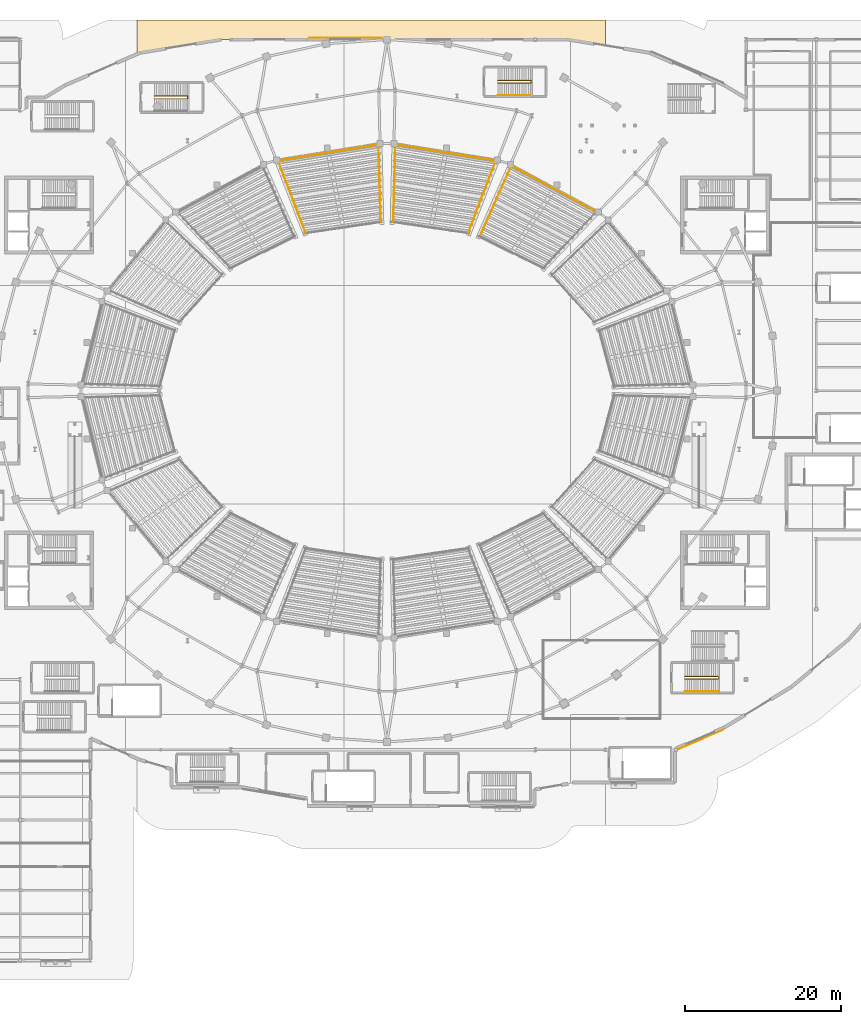
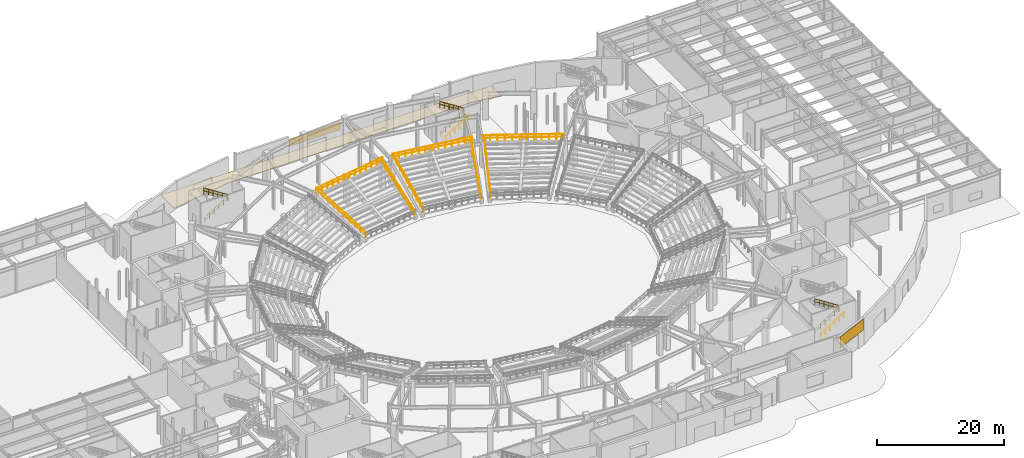
# One storey, part 77 of 79: 13 railings, 3 coverings.
"""IFC4 building model written with IfcOpenShell, lengths in metres."""

from ifc_helpers import new_model, si_unit, direction, frame, origin, origin_2d, place, context, subcontext, project, spatial, polyline, rectangle, circle, outline, extrude, material, layer, layer_set, type_object, element, save


model = new_model("IFC4")

# Units and contexts
model_context = context("Model", 3, precision=1e-05, world=origin(), true_north=direction((0.0, 1.0)))
body_context = subcontext(model_context, "Body", "Model", "MODEL_VIEW")
ifc_project = project(units=[si_unit("LENGTHUNIT", "METRE"), si_unit("AREAUNIT", "SQUARE_METRE"), si_unit("VOLUMEUNIT", "CUBIC_METRE"), si_unit("PLANEANGLEUNIT", "RADIAN"), si_unit("MASSUNIT", "GRAM", prefix="KILO")], contexts=[model_context])

# Site, building, storey
site_placement = place(None, origin())
site = spatial("IfcSite", under=ifc_project, at=site_placement, CompositionType="ELEMENT")
building_placement = place(site_placement, origin())
building = spatial("IfcBuilding", under=site, at=building_placement, Name="Glasvene Arena", CompositionType="ELEMENT")
storey_placement = place(building_placement, origin())
storey = spatial("IfcBuildingStorey", under=building, at=storey_placement, Name="L00", CompositionType="ELEMENT", Elevation=0.0)

# Coverings
ifc_material_1 = material(Name="Coursed pale Irish limestone", Category="masonry")
ifc_layer_1 = layer(ifc_material_1, 0.050048828125)
ifc_layer_set_1 = layer_set([ifc_layer_1], Name="Coursed pale Irish limestone")
covering_type_1 = type_object("IfcCoveringType", Name="COV-CLAD-LIM", PredefinedType="CLADDING", material=ifc_layer_set_1)
covering_1_placement = place(storey_placement, frame((86.654052734375, 118.219970703125, 2.9501953125), z_axis=(0.0, 0.0, 1.0), x_axis=(1.0, 0.0, 0.0)))
element("IfcCovering", 1, at=covering_1_placement, inside=storey, type_object=covering_type_1, Name="Irish limestone spandrel cladding EW-L00-0018", PredefinedType="CLADDING", context=body_context, shape_type="SweptSolid", body=[
    extrude(rectangle(XDim=9.287841796875, YDim=0.050048828125, at=origin_2d()), origin(), (0.0, 0.0, 1.0), 1.431396484375),
])
covering_2_placement = place(storey_placement, frame((132.257568359375, 28.33154296875, 2.949951171875), z_axis=(0.0, 0.0, 1.0), x_axis=(-0.917407699357, -0.397948631308, 0.0)))
element("IfcCovering", 2, at=covering_2_placement, inside=storey, type_object=covering_type_1, Name="Irish limestone spandrel cladding EW-L00-0040", PredefinedType="CLADDING", context=body_context, shape_type="SweptSolid", body=[
    extrude(rectangle(XDim=6.176025390625, YDim=0.050048828125, at=origin_2d()), origin(), (0.0, 0.0, 1.0), 2.1201171875),
])
ifc_material_2 = material(Name="Irish silver-grey granite paving", Category="masonry")
ifc_layer_2 = layer(ifc_material_2, 0.06005859375)
ifc_layer_set_2 = layer_set([ifc_layer_2], Name="Irish silver-grey granite paving")
covering_type_2 = type_object("IfcCoveringType", Name="COV-PLAZA-GRAN", PredefinedType="FLOORING", material=ifc_layer_set_2)
covering_3_placement = place(storey_placement, frame((86.62548828125, 118.10302734375, -0.06005859375)))
element("IfcCovering", 3, at=covering_3_placement, inside=storey, type_object=covering_type_2, Name="Perimeter granite street plaza paving 04", PredefinedType="FLOORING", context=body_context, shape_type="SweptSolid", body=[
    extrude(outline(polyline([(33.37451171875, 2.39697265625), (33.37451171875, -0.872314453125), (28.577392578125, -0.093017578125), (-15.828369140625, -0.093017578125), (-26.246337890625, -1.785400390625), (-26.62548828125, -1.94970703125), (-26.62548828125, 2.39697265625), (33.37451171875, 2.39697265625)])), origin(), (0.0, 0.0, 1.0), 0.06005859375),
])

# Railings
ifc_material_3 = material(Name="Brushed stainless steel", Category="steel")
railing_type_1 = type_object("IfcRailingType", Name="RL-GUARD-1100", PredefinedType="GUARDRAIL", material=ifc_material_3)
railing_1_placement = place(storey_placement, frame((130.199951171875, 36.06005859375, 0.0)))
element("IfcRailing", 4, at=railing_1_placement, inside=storey, type_object=railing_type_1, Name="Stair inner well continuous guardrail ST-06-L00", PredefinedType="GUARDRAIL", context=body_context, shape_type="SweptSolid", body=[
    extrude(circle(Radius=0.02392578125, at=origin_2d()), frame((0.0, 0.0, 1.076171875), z_axis=(0.843501457581, 0.0, 0.537126885437), x_axis=(0.0, 1.0, 0.0)), (0.0, 0.0, 1.0), 5.026611328125),
    extrude(circle(Radius=0.01611328125, at=origin_2d()), frame((0.0, 0.0, 0.550048828125), z_axis=(0.843501457581, 0.0, 0.537126885437), x_axis=(0.0, 1.0, 0.0)), (0.0, 0.0, 1.0), 5.026611328125),
    extrude(circle(Radius=0.02392578125, at=origin_2d()), frame((4.239990234375, 0.0, 3.77587890625), z_axis=(0.0, 1.0, 0.0), x_axis=(-1.0, 0.0, 0.0)), (0.0, 0.0, 1.0), 0.329833984375),
    extrude(circle(Radius=0.01611328125, at=origin_2d()), frame((4.239990234375, 0.0, 3.25), z_axis=(0.0, 1.0, 0.0), x_axis=(-1.0, 0.0, 0.0)), (0.0, 0.0, 1.0), 0.329833984375),
    extrude(circle(Radius=0.02392578125, at=origin_2d()), frame((4.239990234375, 0.329833984375, 3.77587890625), z_axis=(-0.843501457581, 0.0, 0.537126885437), x_axis=(0.0, -1.0, 0.0)), (0.0, 0.0, 1.0), 5.026611328125),
    extrude(circle(Radius=0.01611328125, at=origin_2d()), frame((4.239990234375, 0.329833984375, 3.25), z_axis=(-0.843501457581, 0.0, 0.537126885437), x_axis=(0.0, -1.0, 0.0)), (0.0, 0.0, 1.0), 5.026611328125),
    extrude(circle(Radius=0.02099609375, at=origin_2d()), origin(), (0.0, 0.0, 1.0), 1.052001953125),
    extrude(circle(Radius=0.02099609375, at=origin_2d()), frame((0.847900390625, 0.0, 0.5400390625)), (0.0, 0.0, 1.0), 1.052001953125),
    extrude(circle(Radius=0.02099609375, at=origin_2d()), frame((1.696044921875, 0.0, 1.080078125)), (0.0, 0.0, 1.0), 1.052001953125),
    extrude(circle(Radius=0.02099609375, at=origin_2d()), frame((2.5439453125, 0.0, 1.619873046875)), (0.0, 0.0, 1.0), 1.052001953125),
    extrude(circle(Radius=0.02099609375, at=origin_2d()), frame((3.39208984375, 0.0, 2.159912109375)), (0.0, 0.0, 1.0), 1.052001953125),
    extrude(circle(Radius=0.02099609375, at=origin_2d()), frame((4.239990234375, 0.0, 2.699951171875)), (0.0, 0.0, 1.0), 1.052001953125),
    extrude(circle(Radius=0.02099609375, at=origin_2d()), frame((4.239990234375, 0.329833984375, 2.699951171875)), (0.0, 0.0, 1.0), 1.052001953125),
    extrude(circle(Radius=0.02099609375, at=origin_2d()), frame((3.39208984375, 0.329833984375, 3.239990234375)), (0.0, 0.0, 1.0), 1.052001953125),
    extrude(circle(Radius=0.02099609375, at=origin_2d()), frame((2.5439453125, 0.329833984375, 3.780029296875)), (0.0, 0.0, 1.0), 1.052001953125),
    extrude(circle(Radius=0.02099609375, at=origin_2d()), frame((1.696044921875, 0.329833984375, 4.31982421875)), (0.0, 0.0, 1.0), 1.052001953125),
    extrude(circle(Radius=0.02099609375, at=origin_2d()), frame((0.847900390625, 0.329833984375, 4.85986328125)), (0.0, 0.0, 1.0), 1.052001953125),
    extrude(circle(Radius=0.02099609375, at=origin_2d()), frame((0.0, 0.329833984375, 5.39990234375)), (0.0, 0.0, 1.0), 1.052001953125),
])
railing_2_placement = place(storey_placement, frame((62.199951171875, 110.409912109375, 0.0)))
element("IfcRailing", 5, at=railing_2_placement, inside=storey, type_object=railing_type_1, Name="Stair inner well continuous guardrail ST-10-L00", PredefinedType="GUARDRAIL", context=body_context, shape_type="SweptSolid", body=[
    extrude(circle(Radius=0.02392578125, at=origin_2d()), frame((0.0, 0.0, 1.076171875), z_axis=(0.843501457581, 0.0, 0.537126885437), x_axis=(0.0, 1.0, 0.0)), (0.0, 0.0, 1.0), 5.026611328125),
    extrude(circle(Radius=0.01611328125, at=origin_2d()), frame((0.0, 0.0, 0.550048828125), z_axis=(0.843501457581, 0.0, 0.537126885437), x_axis=(0.0, 1.0, 0.0)), (0.0, 0.0, 1.0), 5.026611328125),
    extrude(circle(Radius=0.02392578125, at=origin_2d()), frame((4.239990234375, 0.0, 3.77587890625), z_axis=(0.0, 1.0, 0.0), x_axis=(-1.0, 0.0, 0.0)), (0.0, 0.0, 1.0), 0.330078125),
    extrude(circle(Radius=0.01611328125, at=origin_2d()), frame((4.239990234375, 0.0, 3.25), z_axis=(0.0, 1.0, 0.0), x_axis=(-1.0, 0.0, 0.0)), (0.0, 0.0, 1.0), 0.330078125),
    extrude(circle(Radius=0.02392578125, at=origin_2d()), frame((4.239990234375, 0.330078125, 3.77587890625), z_axis=(-0.843501457581, 0.0, 0.537126885437), x_axis=(0.0, -1.0, 0.0)), (0.0, 0.0, 1.0), 5.026611328125),
    extrude(circle(Radius=0.01611328125, at=origin_2d()), frame((4.239990234375, 0.330078125, 3.25), z_axis=(-0.843501457581, 0.0, 0.537126885437), x_axis=(0.0, -1.0, 0.0)), (0.0, 0.0, 1.0), 5.026611328125),
    extrude(circle(Radius=0.02099609375, at=origin_2d()), origin(), (0.0, 0.0, 1.0), 1.052001953125),
    extrude(circle(Radius=0.02099609375, at=origin_2d()), frame((0.847900390625, 0.0, 0.5400390625)), (0.0, 0.0, 1.0), 1.052001953125),
    extrude(circle(Radius=0.02099609375, at=origin_2d()), frame((1.696044921875, 0.0, 1.080078125)), (0.0, 0.0, 1.0), 1.052001953125),
    extrude(circle(Radius=0.02099609375, at=origin_2d()), frame((2.5439453125, 0.0, 1.619873046875)), (0.0, 0.0, 1.0), 1.052001953125),
    extrude(circle(Radius=0.02099609375, at=origin_2d()), frame((3.39208984375, 0.0, 2.159912109375)), (0.0, 0.0, 1.0), 1.052001953125),
    extrude(circle(Radius=0.02099609375, at=origin_2d()), frame((4.239990234375, 0.0, 2.699951171875)), (0.0, 0.0, 1.0), 1.052001953125),
    extrude(circle(Radius=0.02099609375, at=origin_2d()), frame((4.239990234375, 0.330078125, 2.699951171875)), (0.0, 0.0, 1.0), 1.052001953125),
    extrude(circle(Radius=0.02099609375, at=origin_2d()), frame((3.39208984375, 0.330078125, 3.239990234375)), (0.0, 0.0, 1.0), 1.052001953125),
    extrude(circle(Radius=0.02099609375, at=origin_2d()), frame((2.5439453125, 0.330078125, 3.780029296875)), (0.0, 0.0, 1.0), 1.052001953125),
    extrude(circle(Radius=0.02099609375, at=origin_2d()), frame((1.696044921875, 0.330078125, 4.31982421875)), (0.0, 0.0, 1.0), 1.052001953125),
    extrude(circle(Radius=0.02099609375, at=origin_2d()), frame((0.847900390625, 0.330078125, 4.85986328125)), (0.0, 0.0, 1.0), 1.052001953125),
    extrude(circle(Radius=0.02099609375, at=origin_2d()), frame((0.0, 0.330078125, 5.39990234375)), (0.0, 0.0, 1.0), 1.052001953125),
])
railing_3_placement = place(storey_placement, frame((106.199951171875, 112.409912109375, 0.0)))
element("IfcRailing", 6, at=railing_3_placement, inside=storey, type_object=railing_type_1, Name="Stair inner well continuous guardrail ST-11-L00", PredefinedType="GUARDRAIL", context=body_context, shape_type="SweptSolid", body=[
    extrude(circle(Radius=0.02392578125, at=origin_2d()), frame((0.0, 0.0, 1.076171875), z_axis=(0.843501457581, 0.0, 0.537126885437), x_axis=(0.0, 1.0, 0.0)), (0.0, 0.0, 1.0), 5.026611328125),
    extrude(circle(Radius=0.01611328125, at=origin_2d()), frame((0.0, 0.0, 0.550048828125), z_axis=(0.843501457581, 0.0, 0.537126885437), x_axis=(0.0, 1.0, 0.0)), (0.0, 0.0, 1.0), 5.026611328125),
    extrude(circle(Radius=0.02392578125, at=origin_2d()), frame((4.239990234375, 0.0, 3.77587890625), z_axis=(0.0, 1.0, 0.0), x_axis=(-1.0, 0.0, 0.0)), (0.0, 0.0, 1.0), 0.330078125),
    extrude(circle(Radius=0.01611328125, at=origin_2d()), frame((4.239990234375, 0.0, 3.25), z_axis=(0.0, 1.0, 0.0), x_axis=(-1.0, 0.0, 0.0)), (0.0, 0.0, 1.0), 0.330078125),
    extrude(circle(Radius=0.02392578125, at=origin_2d()), frame((4.239990234375, 0.330078125, 3.77587890625), z_axis=(-0.843501457581, 0.0, 0.537126885437), x_axis=(0.0, -1.0, 0.0)), (0.0, 0.0, 1.0), 5.026611328125),
    extrude(circle(Radius=0.01611328125, at=origin_2d()), frame((4.239990234375, 0.330078125, 3.25), z_axis=(-0.843501457581, 0.0, 0.537126885437), x_axis=(0.0, -1.0, 0.0)), (0.0, 0.0, 1.0), 5.026611328125),
    extrude(circle(Radius=0.02099609375, at=origin_2d()), origin(), (0.0, 0.0, 1.0), 1.052001953125),
    extrude(circle(Radius=0.02099609375, at=origin_2d()), frame((0.847900390625, 0.0, 0.5400390625)), (0.0, 0.0, 1.0), 1.052001953125),
    extrude(circle(Radius=0.02099609375, at=origin_2d()), frame((1.696044921875, 0.0, 1.080078125)), (0.0, 0.0, 1.0), 1.052001953125),
    extrude(circle(Radius=0.02099609375, at=origin_2d()), frame((2.5439453125, 0.0, 1.619873046875)), (0.0, 0.0, 1.0), 1.052001953125),
    extrude(circle(Radius=0.02099609375, at=origin_2d()), frame((3.39208984375, 0.0, 2.159912109375)), (0.0, 0.0, 1.0), 1.052001953125),
    extrude(circle(Radius=0.02099609375, at=origin_2d()), frame((4.239990234375, 0.0, 2.699951171875)), (0.0, 0.0, 1.0), 1.052001953125),
    extrude(circle(Radius=0.02099609375, at=origin_2d()), frame((4.239990234375, 0.330078125, 2.699951171875)), (0.0, 0.0, 1.0), 1.052001953125),
    extrude(circle(Radius=0.02099609375, at=origin_2d()), frame((3.39208984375, 0.330078125, 3.239990234375)), (0.0, 0.0, 1.0), 1.052001953125),
    extrude(circle(Radius=0.02099609375, at=origin_2d()), frame((2.5439453125, 0.330078125, 3.780029296875)), (0.0, 0.0, 1.0), 1.052001953125),
    extrude(circle(Radius=0.02099609375, at=origin_2d()), frame((1.696044921875, 0.330078125, 4.31982421875)), (0.0, 0.0, 1.0), 1.052001953125),
    extrude(circle(Radius=0.02099609375, at=origin_2d()), frame((0.847900390625, 0.330078125, 4.85986328125)), (0.0, 0.0, 1.0), 1.052001953125),
    extrude(circle(Radius=0.02099609375, at=origin_2d()), frame((0.0, 0.330078125, 5.39990234375)), (0.0, 0.0, 1.0), 1.052001953125),
])
railing_4_placement = place(storey_placement, frame((118.999755859375, 95.831298828125, 4.93994140625)))
element("IfcRailing", 7, at=railing_4_placement, inside=storey, type_object=railing_type_1, Name="Safety guardrail GD-TL-LR-03-001", PredefinedType="GUARDRAIL", context=body_context, shape_type="SweptSolid", body=[
    extrude(circle(Radius=0.02392578125, at=origin_2d()), frame((0.0, 0.0, 1.076171875), z_axis=(-0.87993179108, 0.475100034779, 0.0), x_axis=(-0.475100034779, -0.87993179108, 0.0)), (0.0, 0.0, 1.0), 12.761474609375),
    extrude(circle(Radius=0.01611328125, at=origin_2d()), frame((0.0, 0.0, 0.550048828125), z_axis=(-0.87993179108, 0.475100034779, 0.0), x_axis=(-0.475100034779, -0.87993179108, 0.0)), (0.0, 0.0, 1.0), 12.761474609375),
    extrude(circle(Radius=0.02099609375, at=origin_2d()), origin(), (0.0, 0.0, 1.0), 1.052001953125),
    extrude(circle(Radius=0.02099609375, at=origin_2d()), frame((-1.020751953125, 0.55126953125, 0.0)), (0.0, 0.0, 1.0), 1.052001953125),
    extrude(circle(Radius=0.02099609375, at=origin_2d()), frame((-2.041748046875, 1.102294921875, 0.0)), (0.0, 0.0, 1.0), 1.052001953125),
    extrude(circle(Radius=0.02099609375, at=origin_2d()), frame((-3.0625, 1.653564453125, 0.0)), (0.0, 0.0, 1.0), 1.052001953125),
    extrude(circle(Radius=0.02099609375, at=origin_2d()), frame((-4.083251953125, 2.204833984375, 0.0)), (0.0, 0.0, 1.0), 1.052001953125),
    extrude(circle(Radius=0.02099609375, at=origin_2d()), frame((-5.104248046875, 2.755859375, 0.0)), (0.0, 0.0, 1.0), 1.052001953125),
    extrude(circle(Radius=0.02099609375, at=origin_2d()), frame((-6.125, 3.30712890625, 0.0)), (0.0, 0.0, 1.0), 1.052001953125),
    extrude(circle(Radius=0.02099609375, at=origin_2d()), frame((-7.14599609375, 3.858154296875, 0.0)), (0.0, 0.0, 1.0), 1.052001953125),
    extrude(circle(Radius=0.02099609375, at=origin_2d()), frame((-8.166748046875, 4.409423828125, 0.0)), (0.0, 0.0, 1.0), 1.052001953125),
    extrude(circle(Radius=0.02099609375, at=origin_2d()), frame((-9.1875, 4.960693359375, 0.0)), (0.0, 0.0, 1.0), 1.052001953125),
    extrude(circle(Radius=0.02099609375, at=origin_2d()), frame((-10.20849609375, 5.51171875, 0.0)), (0.0, 0.0, 1.0), 1.052001953125),
    extrude(circle(Radius=0.02099609375, at=origin_2d()), frame((-11.229248046875, 6.06298828125, 0.0)), (0.0, 0.0, 1.0), 1.052001953125),
])
railing_5_placement = place(storey_placement, frame((103.896484375, 92.764892578125, 0.760009765625)))
element("IfcRailing", 8, at=railing_5_placement, inside=storey, type_object=railing_type_1, Name="Lower tier radial aisle guard 03-2", PredefinedType="GUARDRAIL", context=body_context, shape_type="SweptSolid", body=[
    extrude(circle(Radius=0.02392578125, at=origin_2d()), frame((0.0, 0.0, 1.076171875), z_axis=(0.375989614455, 0.841035379282, 0.388961824114), x_axis=(-0.912924660078, 0.408128123292, 0.0)), (0.0, 0.0, 1.0), 10.746337890625),
    extrude(circle(Radius=0.01611328125, at=origin_2d()), frame((0.0, 0.0, 0.550048828125), z_axis=(0.375989614455, 0.841035379282, 0.388961824114), x_axis=(-0.912924660078, 0.408128123292, 0.0)), (0.0, 0.0, 1.0), 10.746337890625),
    extrude(circle(Radius=0.02099609375, at=origin_2d()), origin(), (0.0, 0.0, 1.0), 1.052001953125),
    extrude(circle(Radius=0.02099609375, at=origin_2d()), frame((0.448974609375, 1.004150390625, 0.46435546875)), (0.0, 0.0, 1.0), 1.052001953125),
    extrude(circle(Radius=0.02099609375, at=origin_2d()), frame((0.89794921875, 2.008544921875, 0.928955078125)), (0.0, 0.0, 1.0), 1.052001953125),
    extrude(circle(Radius=0.02099609375, at=origin_2d()), frame((1.346923828125, 3.0126953125, 1.393310546875)), (0.0, 0.0, 1.0), 1.052001953125),
    extrude(circle(Radius=0.02099609375, at=origin_2d()), frame((1.7958984375, 4.016845703125, 1.857666015625)), (0.0, 0.0, 1.0), 1.052001953125),
    extrude(circle(Radius=0.02099609375, at=origin_2d()), frame((2.24462890625, 5.021240234375, 2.322265625)), (0.0, 0.0, 1.0), 1.052001953125),
    extrude(circle(Radius=0.02099609375, at=origin_2d()), frame((2.693603515625, 6.025390625, 2.78662109375)), (0.0, 0.0, 1.0), 1.052001953125),
    extrude(circle(Radius=0.02099609375, at=origin_2d()), frame((3.142578125, 7.029541015625, 3.2509765625)), (0.0, 0.0, 1.0), 1.052001953125),
    extrude(circle(Radius=0.02099609375, at=origin_2d()), frame((3.591552734375, 8.033935546875, 3.715576171875)), (0.0, 0.0, 1.0), 1.052001953125),
    extrude(circle(Radius=0.02099609375, at=origin_2d()), frame((4.04052734375, 9.0380859375, 4.179931640625)), (0.0, 0.0, 1.0), 1.052001953125),
])
railing_6_placement = place(storey_placement, frame((106.13232421875, 102.44287109375, 4.93994140625)))
element("IfcRailing", 9, at=railing_6_placement, inside=storey, type_object=railing_type_1, Name="Safety guardrail GD-TL-LR-04-001", PredefinedType="GUARDRAIL", context=body_context, shape_type="SweptSolid", body=[
    extrude(circle(Radius=0.02392578125, at=origin_2d()), frame((0.0, 0.0, 1.076171875), z_axis=(-0.987325788785, 0.158706606038, 0.0), x_axis=(-0.158706606038, -0.987325788785, 0.0)), (0.0, 0.0, 1.0), 13.41552734375),
    extrude(circle(Radius=0.01611328125, at=origin_2d()), frame((0.0, 0.0, 0.550048828125), z_axis=(-0.987325788785, 0.158706606038, 0.0), x_axis=(-0.158706606038, -0.987325788785, 0.0)), (0.0, 0.0, 1.0), 13.41552734375),
    extrude(circle(Radius=0.02099609375, at=origin_2d()), origin(), (0.0, 0.0, 1.0), 1.052001953125),
    extrude(circle(Radius=0.02099609375, at=origin_2d()), frame((-1.103759765625, 0.177490234375, 0.0)), (0.0, 0.0, 1.0), 1.052001953125),
    extrude(circle(Radius=0.02099609375, at=origin_2d()), frame((-2.20751953125, 0.35498046875, 0.0)), (0.0, 0.0, 1.0), 1.052001953125),
    extrude(circle(Radius=0.02099609375, at=origin_2d()), frame((-3.3115234375, 0.5322265625, 0.0)), (0.0, 0.0, 1.0), 1.052001953125),
    extrude(circle(Radius=0.02099609375, at=origin_2d()), frame((-4.415283203125, 0.709716796875, 0.0)), (0.0, 0.0, 1.0), 1.052001953125),
    extrude(circle(Radius=0.02099609375, at=origin_2d()), frame((-5.51904296875, 0.88720703125, 0.0)), (0.0, 0.0, 1.0), 1.052001953125),
    extrude(circle(Radius=0.02099609375, at=origin_2d()), frame((-6.622802734375, 1.064453125, 0.0)), (0.0, 0.0, 1.0), 1.052001953125),
    extrude(circle(Radius=0.02099609375, at=origin_2d()), frame((-7.7265625, 1.241943359375, 0.0)), (0.0, 0.0, 1.0), 1.052001953125),
    extrude(circle(Radius=0.02099609375, at=origin_2d()), frame((-8.830322265625, 1.41943359375, 0.0)), (0.0, 0.0, 1.0), 1.052001953125),
    extrude(circle(Radius=0.02099609375, at=origin_2d()), frame((-9.93408203125, 1.596923828125, 0.0)), (0.0, 0.0, 1.0), 1.052001953125),
    extrude(circle(Radius=0.02099609375, at=origin_2d()), frame((-11.0380859375, 1.7744140625, 0.0)), (0.0, 0.0, 1.0), 1.052001953125),
    extrude(circle(Radius=0.02099609375, at=origin_2d()), frame((-12.141845703125, 1.95166015625, 0.0)), (0.0, 0.0, 1.0), 1.052001953125),
    extrude(circle(Radius=0.02099609375, at=origin_2d()), frame((-13.24560546875, 2.129150390625, 0.0)), (0.0, 0.0, 1.0), 1.052001953125),
])
railing_7_placement = place(storey_placement, frame((102.4052734375, 93.2236328125, 0.760009765625)))
element("IfcRailing", 10, at=railing_7_placement, inside=storey, type_object=railing_type_1, Name="Lower tier radial aisle guard 04-1", PredefinedType="GUARDRAIL", context=body_context, shape_type="SweptSolid", body=[
    extrude(circle(Radius=0.02392578125, at=origin_2d()), frame((0.0, 0.0, 1.076171875), z_axis=(0.328852201287, 0.860559069606, 0.388965702123), x_axis=(-0.934118839399, 0.3569621743, 0.0)), (0.0, 0.0, 1.0), 10.746337890625),
    extrude(circle(Radius=0.01611328125, at=origin_2d()), frame((0.0, 0.0, 0.550048828125), z_axis=(0.328852201287, 0.860559069606, 0.388965702123), x_axis=(-0.934118839399, 0.3569621743, 0.0)), (0.0, 0.0, 1.0), 10.746337890625),
    extrude(circle(Radius=0.02099609375, at=origin_2d()), origin(), (0.0, 0.0, 1.0), 1.052001953125),
    extrude(circle(Radius=0.02099609375, at=origin_2d()), frame((0.392578125, 1.027587890625, 0.46435546875)), (0.0, 0.0, 1.0), 1.052001953125),
    extrude(circle(Radius=0.02099609375, at=origin_2d()), frame((0.785400390625, 2.05517578125, 0.928955078125)), (0.0, 0.0, 1.0), 1.052001953125),
    extrude(circle(Radius=0.02099609375, at=origin_2d()), frame((1.177978515625, 3.08251953125, 1.393310546875)), (0.0, 0.0, 1.0), 1.052001953125),
    extrude(circle(Radius=0.02099609375, at=origin_2d()), frame((1.570556640625, 4.110107421875, 1.857666015625)), (0.0, 0.0, 1.0), 1.052001953125),
    extrude(circle(Radius=0.02099609375, at=origin_2d()), frame((1.96337890625, 5.1376953125, 2.322265625)), (0.0, 0.0, 1.0), 1.052001953125),
    extrude(circle(Radius=0.02099609375, at=origin_2d()), frame((2.35595703125, 6.165283203125, 2.78662109375)), (0.0, 0.0, 1.0), 1.052001953125),
    extrude(circle(Radius=0.02099609375, at=origin_2d()), frame((2.74853515625, 7.192626953125, 3.2509765625)), (0.0, 0.0, 1.0), 1.052001953125),
    extrude(circle(Radius=0.02099609375, at=origin_2d()), frame((3.141357421875, 8.22021484375, 3.715576171875)), (0.0, 0.0, 1.0), 1.052001953125),
    extrude(circle(Radius=0.02099609375, at=origin_2d()), frame((3.533935546875, 9.247802734375, 4.179931640625)), (0.0, 0.0, 1.0), 1.052001953125),
])
railing_8_placement = place(storey_placement, frame((92.806884765625, 94.6416015625, 0.760009765625)))
element("IfcRailing", 11, at=railing_8_placement, inside=storey, type_object=railing_type_1, Name="Lower tier radial aisle guard 04-2", PredefinedType="GUARDRAIL", context=body_context, shape_type="SweptSolid", body=[
    extrude(circle(Radius=0.02392578125, at=origin_2d()), frame((0.0, 0.0, 1.076171875), z_axis=(0.025513003644, 0.920899022887, 0.388965392151), x_axis=(-0.99961645242, 0.027693826966, 0.0)), (0.0, 0.0, 1.0), 10.746337890625),
    extrude(circle(Radius=0.01611328125, at=origin_2d()), frame((0.0, 0.0, 0.550048828125), z_axis=(0.025513003644, 0.920899022887, 0.388965392151), x_axis=(-0.99961645242, 0.027693826966, 0.0)), (0.0, 0.0, 1.0), 10.746337890625),
    extrude(circle(Radius=0.02099609375, at=origin_2d()), origin(), (0.0, 0.0, 1.0), 1.052001953125),
    extrude(circle(Radius=0.02099609375, at=origin_2d()), frame((0.030517578125, 1.099609375, 0.46435546875)), (0.0, 0.0, 1.0), 1.052001953125),
    extrude(circle(Radius=0.02099609375, at=origin_2d()), frame((0.06103515625, 2.19921875, 0.928955078125)), (0.0, 0.0, 1.0), 1.052001953125),
    extrude(circle(Radius=0.02099609375, at=origin_2d()), frame((0.09130859375, 3.298828125, 1.393310546875)), (0.0, 0.0, 1.0), 1.052001953125),
    extrude(circle(Radius=0.02099609375, at=origin_2d()), frame((0.121826171875, 4.3984375, 1.857666015625)), (0.0, 0.0, 1.0), 1.052001953125),
    extrude(circle(Radius=0.02099609375, at=origin_2d()), frame((0.15234375, 5.497802734375, 2.322265625)), (0.0, 0.0, 1.0), 1.052001953125),
    extrude(circle(Radius=0.02099609375, at=origin_2d()), frame((0.182861328125, 6.597412109375, 2.78662109375)), (0.0, 0.0, 1.0), 1.052001953125),
    extrude(circle(Radius=0.02099609375, at=origin_2d()), frame((0.213134765625, 7.697021484375, 3.2509765625)), (0.0, 0.0, 1.0), 1.052001953125),
    extrude(circle(Radius=0.02099609375, at=origin_2d()), frame((0.24365234375, 8.796630859375, 3.715576171875)), (0.0, 0.0, 1.0), 1.052001953125),
    extrude(circle(Radius=0.02099609375, at=origin_2d()), frame((0.274169921875, 9.896240234375, 4.179931640625)), (0.0, 0.0, 1.0), 1.052001953125),
])
railing_9_placement = place(storey_placement, frame((91.11328125, 104.572021484375, 4.93994140625)))
element("IfcRailing", 12, at=railing_9_placement, inside=storey, type_object=railing_type_1, Name="Safety guardrail GD-TL-LR-05-001", PredefinedType="GUARDRAIL", context=body_context, shape_type="SweptSolid", body=[
    extrude(circle(Radius=0.02392578125, at=origin_2d()), frame((0.0, 0.0, 1.076171875), z_axis=(-0.987325788785, -0.158706606038, 0.0), x_axis=(0.158706606038, -0.987325788785, 0.0)), (0.0, 0.0, 1.0), 13.41552734375),
    extrude(circle(Radius=0.01611328125, at=origin_2d()), frame((0.0, 0.0, 0.550048828125), z_axis=(-0.987325788785, -0.158706606038, 0.0), x_axis=(0.158706606038, -0.987325788785, 0.0)), (0.0, 0.0, 1.0), 13.41552734375),
    extrude(circle(Radius=0.02099609375, at=origin_2d()), origin(), (0.0, 0.0, 1.0), 1.052001953125),
    extrude(circle(Radius=0.02099609375, at=origin_2d()), frame((-1.103759765625, -0.177490234375, 0.0)), (0.0, 0.0, 1.0), 1.052001953125),
    extrude(circle(Radius=0.02099609375, at=origin_2d()), frame((-2.20751953125, -0.35498046875, 0.0)), (0.0, 0.0, 1.0), 1.052001953125),
    extrude(circle(Radius=0.02099609375, at=origin_2d()), frame((-3.3115234375, -0.5322265625, 0.0)), (0.0, 0.0, 1.0), 1.052001953125),
    extrude(circle(Radius=0.02099609375, at=origin_2d()), frame((-4.415283203125, -0.709716796875, 0.0)), (0.0, 0.0, 1.0), 1.052001953125),
    extrude(circle(Radius=0.02099609375, at=origin_2d()), frame((-5.51904296875, -0.88720703125, 0.0)), (0.0, 0.0, 1.0), 1.052001953125),
    extrude(circle(Radius=0.02099609375, at=origin_2d()), frame((-6.622802734375, -1.064453125, 0.0)), (0.0, 0.0, 1.0), 1.052001953125),
    extrude(circle(Radius=0.02099609375, at=origin_2d()), frame((-7.7265625, -1.241943359375, 0.0)), (0.0, 0.0, 1.0), 1.052001953125),
    extrude(circle(Radius=0.02099609375, at=origin_2d()), frame((-8.830322265625, -1.41943359375, 0.0)), (0.0, 0.0, 1.0), 1.052001953125),
    extrude(circle(Radius=0.02099609375, at=origin_2d()), frame((-9.93408203125, -1.596923828125, 0.0)), (0.0, 0.0, 1.0), 1.052001953125),
    extrude(circle(Radius=0.02099609375, at=origin_2d()), frame((-11.0380859375, -1.7744140625, 0.0)), (0.0, 0.0, 1.0), 1.052001953125),
    extrude(circle(Radius=0.02099609375, at=origin_2d()), frame((-12.141845703125, -1.95166015625, 0.0)), (0.0, 0.0, 1.0), 1.052001953125),
    extrude(circle(Radius=0.02099609375, at=origin_2d()), frame((-13.24560546875, -2.129150390625, 0.0)), (0.0, 0.0, 1.0), 1.052001953125),
])
railing_10_placement = place(storey_placement, frame((91.193115234375, 94.6416015625, 0.760009765625)))
element("IfcRailing", 13, at=railing_10_placement, inside=storey, type_object=railing_type_1, Name="Lower tier radial aisle guard 05-1", PredefinedType="GUARDRAIL", context=body_context, shape_type="SweptSolid", body=[
    extrude(circle(Radius=0.02392578125, at=origin_2d()), frame((0.0, 0.0, 1.076171875), z_axis=(-0.025513003644, 0.920899022887, 0.388965392151), x_axis=(-0.99961645242, -0.027693826966, 0.0)), (0.0, 0.0, 1.0), 10.746337890625),
    extrude(circle(Radius=0.01611328125, at=origin_2d()), frame((0.0, 0.0, 0.550048828125), z_axis=(-0.025513003644, 0.920899022887, 0.388965392151), x_axis=(-0.99961645242, -0.027693826966, 0.0)), (0.0, 0.0, 1.0), 10.746337890625),
    extrude(circle(Radius=0.02099609375, at=origin_2d()), origin(), (0.0, 0.0, 1.0), 1.052001953125),
    extrude(circle(Radius=0.02099609375, at=origin_2d()), frame((-0.030517578125, 1.099609375, 0.46435546875)), (0.0, 0.0, 1.0), 1.052001953125),
    extrude(circle(Radius=0.02099609375, at=origin_2d()), frame((-0.06103515625, 2.19921875, 0.928955078125)), (0.0, 0.0, 1.0), 1.052001953125),
    extrude(circle(Radius=0.02099609375, at=origin_2d()), frame((-0.09130859375, 3.298828125, 1.393310546875)), (0.0, 0.0, 1.0), 1.052001953125),
    extrude(circle(Radius=0.02099609375, at=origin_2d()), frame((-0.121826171875, 4.3984375, 1.857666015625)), (0.0, 0.0, 1.0), 1.052001953125),
    extrude(circle(Radius=0.02099609375, at=origin_2d()), frame((-0.15234375, 5.497802734375, 2.322265625)), (0.0, 0.0, 1.0), 1.052001953125),
    extrude(circle(Radius=0.02099609375, at=origin_2d()), frame((-0.182861328125, 6.597412109375, 2.78662109375)), (0.0, 0.0, 1.0), 1.052001953125),
    extrude(circle(Radius=0.02099609375, at=origin_2d()), frame((-0.213134765625, 7.697021484375, 3.2509765625)), (0.0, 0.0, 1.0), 1.052001953125),
    extrude(circle(Radius=0.02099609375, at=origin_2d()), frame((-0.24365234375, 8.796630859375, 3.715576171875)), (0.0, 0.0, 1.0), 1.052001953125),
    extrude(circle(Radius=0.02099609375, at=origin_2d()), frame((-0.274169921875, 9.896240234375, 4.179931640625)), (0.0, 0.0, 1.0), 1.052001953125),
])
railing_11_placement = place(storey_placement, frame((81.5947265625, 93.2236328125, 0.760009765625)))
element("IfcRailing", 14, at=railing_11_placement, inside=storey, type_object=railing_type_1, Name="Lower tier radial aisle guard 05-2", PredefinedType="GUARDRAIL", context=body_context, shape_type="SweptSolid", body=[
    extrude(circle(Radius=0.02392578125, at=origin_2d()), frame((0.0, 0.0, 1.076171875), z_axis=(-0.328852201287, 0.860559069606, 0.388965702123), x_axis=(-0.934118839399, -0.3569621743, 0.0)), (0.0, 0.0, 1.0), 10.746337890625),
    extrude(circle(Radius=0.01611328125, at=origin_2d()), frame((0.0, 0.0, 0.550048828125), z_axis=(-0.328852201287, 0.860559069606, 0.388965702123), x_axis=(-0.934118839399, -0.3569621743, 0.0)), (0.0, 0.0, 1.0), 10.746337890625),
    extrude(circle(Radius=0.02099609375, at=origin_2d()), origin(), (0.0, 0.0, 1.0), 1.052001953125),
    extrude(circle(Radius=0.02099609375, at=origin_2d()), frame((-0.392578125, 1.027587890625, 0.46435546875)), (0.0, 0.0, 1.0), 1.052001953125),
    extrude(circle(Radius=0.02099609375, at=origin_2d()), frame((-0.785400390625, 2.05517578125, 0.928955078125)), (0.0, 0.0, 1.0), 1.052001953125),
    extrude(circle(Radius=0.02099609375, at=origin_2d()), frame((-1.177978515625, 3.08251953125, 1.393310546875)), (0.0, 0.0, 1.0), 1.052001953125),
    extrude(circle(Radius=0.02099609375, at=origin_2d()), frame((-1.570556640625, 4.110107421875, 1.857666015625)), (0.0, 0.0, 1.0), 1.052001953125),
    extrude(circle(Radius=0.02099609375, at=origin_2d()), frame((-1.96337890625, 5.1376953125, 2.322265625)), (0.0, 0.0, 1.0), 1.052001953125),
    extrude(circle(Radius=0.02099609375, at=origin_2d()), frame((-2.35595703125, 6.165283203125, 2.78662109375)), (0.0, 0.0, 1.0), 1.052001953125),
    extrude(circle(Radius=0.02099609375, at=origin_2d()), frame((-2.74853515625, 7.192626953125, 3.2509765625)), (0.0, 0.0, 1.0), 1.052001953125),
    extrude(circle(Radius=0.02099609375, at=origin_2d()), frame((-3.141357421875, 8.22021484375, 3.715576171875)), (0.0, 0.0, 1.0), 1.052001953125),
    extrude(circle(Radius=0.02099609375, at=origin_2d()), frame((-3.533935546875, 9.247802734375, 4.179931640625)), (0.0, 0.0, 1.0), 1.052001953125),
])
railing_type_2 = type_object("IfcRailingType", Name="RL-HAND-950", PredefinedType="HANDRAIL", material=ifc_material_3)
for number, where, name in (
    (15, (130.199951171875, 34.4599609375, 0.0), "Stair wall handrail ST-06-L00"),
    (16, (106.199951171875, 110.860107421875, 0.0), "Stair wall handrail ST-11-L00"),
):
    element("IfcRailing", number, at=place(storey_placement, frame(where)), inside=storey, type_object=railing_type_2, Name=name, PredefinedType="HANDRAIL", context=body_context, shape_type="SweptSolid", body=[
        extrude(circle(Radius=0.02392578125, at=origin_2d()), frame((0.0, 0.0, 0.92578125), z_axis=(0.841180064094, 0.0, 0.540755119968), x_axis=(0.0, 1.0, 0.0)), (0.0, 0.0, 1.0), 4.992919921875),
        extrude(circle(Radius=0.02099609375, at=origin_2d()), origin(), (0.0, 0.0, 1.0), 0.90185546875),
        extrude(circle(Radius=0.02099609375, at=origin_2d()), frame((0.840087890625, 0.0, 0.5400390625)), (0.0, 0.0, 1.0), 0.90185546875),
        extrude(circle(Radius=0.02099609375, at=origin_2d()), frame((1.679931640625, 0.0, 1.080078125)), (0.0, 0.0, 1.0), 0.90185546875),
        extrude(circle(Radius=0.02099609375, at=origin_2d()), frame((2.52001953125, 0.0, 1.619873046875)), (0.0, 0.0, 1.0), 0.90185546875),
        extrude(circle(Radius=0.02099609375, at=origin_2d()), frame((3.35986328125, 0.0, 2.159912109375)), (0.0, 0.0, 1.0), 0.90185546875),
        extrude(circle(Radius=0.02099609375, at=origin_2d()), frame((4.199951171875, 0.0, 2.699951171875)), (0.0, 0.0, 1.0), 0.90185546875),
    ])

save(model, "model.ifc")
